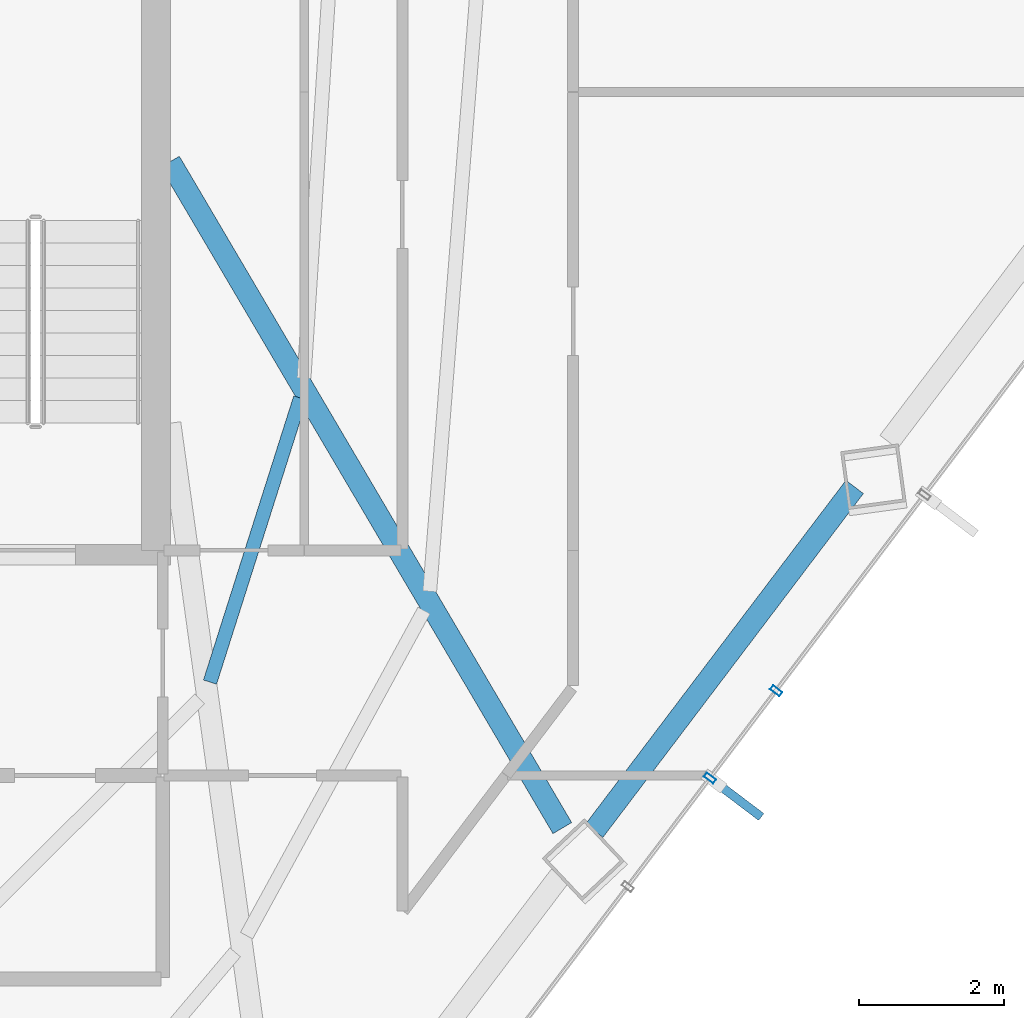
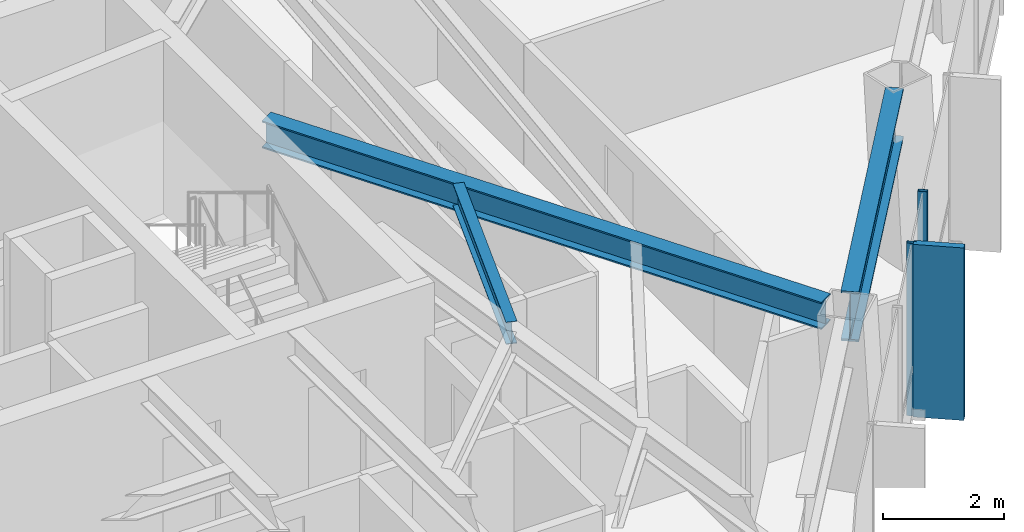
# One storey, part 19 of 28: 3 beams, 3 members, 1 element without a shape of its own.
"""IFC4 building model written with IfcOpenShell, lengths in metres."""

from ifc_helpers import new_model, si_unit, direction, frame, origin, origin_2d, place, context, subcontext, project, spatial, rectangle, hollow_rectangle, i_section, extrude, material, layer, layer_set, material_profile, profile_set, type_object, element, aggregate, save


model = new_model("IFC4")

# Units and contexts
model_context = context("Model", 3, precision=1e-05, world=origin(), true_north=direction((0.0, 1.0)))
body_context = subcontext(model_context, "Body", "Model", "MODEL_VIEW")
ifc_project = project(units=[si_unit("LENGTHUNIT", "METRE"), si_unit("AREAUNIT", "SQUARE_METRE"), si_unit("VOLUMEUNIT", "CUBIC_METRE"), si_unit("PLANEANGLEUNIT", "RADIAN"), si_unit("MASSUNIT", "GRAM", prefix="KILO")], contexts=[model_context])

# Site, building, storey
site_placement = place(None, origin())
site = spatial("IfcSite", under=ifc_project, at=site_placement, CompositionType="ELEMENT")
building_placement = place(site_placement, origin())
building = spatial("IfcBuilding", under=site, at=building_placement, Name="Zarrinselat Tower", CompositionType="ELEMENT")
storey_placement = place(building_placement, frame((0.0, 0.0, 153.340087890625)))
storey = spatial("IfcBuildingStorey", under=building, at=storey_placement, Name="L37", CompositionType="ELEMENT", Elevation=153.340087890625)

# Beams
ifc_material_1 = material(Name="Steel S355J2", Category="steel")
ifc_material_profile_1 = material_profile(ifc_material_1, i_section(OverallWidth=0.300048828125, OverallDepth=0.550048828125, WebThickness=0.014892578125, FlangeThickness=0.029052734375, at=origin_2d()), Name="HEB 550")
ifc_profile_set_1 = profile_set([ifc_material_profile_1], Name="Steel S355J2")
beam_type_1 = type_object("IfcBeamType", Name="BM-HEB550", PredefinedType="BEAM", material=ifc_profile_set_1)
beam_1_placement = place(storey_placement, frame((48.449951171875, 38.60009765625, 3.21484375), z_axis=(0.507416914509, -0.861700687519, 0.0), x_axis=(0.861700687519, 0.507416914509, 0.0)))
element("IfcBeam", 1, at=beam_1_placement, inside=storey, type_object=beam_type_1, Name="L37 Radial Primary Girder RG13", PredefinedType="BEAM", context=body_context, shape_type="SweptSolid", body=[
    extrude(i_section(OverallWidth=0.300048828125, OverallDepth=0.550048828125, WebThickness=0.014892578125, FlangeThickness=0.029052734375, at=origin_2d()), origin(), (0.0, 0.0, 1.0), 10.646728515625),
])
ifc_material_2 = material(Name="Steel S460M", Category="steel")
ifc_material_profile_2 = material_profile(ifc_material_2, i_section(OverallWidth=0.302001953125, OverallDepth=1.008056640625, WebThickness=0.02099609375, FlangeThickness=0.0400390625, at=origin_2d()), Name="HEM 1000")
ifc_profile_set_2 = profile_set([ifc_material_profile_2], Name="Steel S460M")
beam_type_2 = type_object("IfcBeamType", Name="BM-HEM1000", PredefinedType="BEAM", material=ifc_profile_set_2)
beam_2_placement = place(storey_placement, frame((54.290771484375, 29.388916015625, 2.98583984375), z_axis=(0.603860062149, 0.797090349547, 0.0), x_axis=(-0.797090349547, 0.603860062149, 0.0)))
element("IfcBeam", 2, at=beam_2_placement, inside=storey, type_object=beam_type_2, Name="L37 Perimeter Spandrel Girder SP13", PredefinedType="BEAM", context=body_context, shape_type="SweptSolid", body=[
    extrude(i_section(OverallWidth=0.302001953125, OverallDepth=1.008056640625, WebThickness=0.02099609375, FlangeThickness=0.0400390625, at=origin_2d()), origin(), (0.0, 0.0, 1.0), 5.939453125),
])
ifc_material_3 = material(Name="Steel S355J2", Category="steel")
ifc_material_profile_3 = material_profile(ifc_material_3, i_section(OverallWidth=0.18994140625, OverallDepth=0.449951171875, WebThickness=0.009521484375, FlangeThickness=0.0146484375, at=origin_2d()), Name="IPE 450")
ifc_profile_set_3 = profile_set([ifc_material_profile_3], Name="Steel S355J2")
beam_type_3 = type_object("IfcBeamType", Name="BM-IPE450", PredefinedType="JOIST", material=ifc_profile_set_3)
beam_3_placement = place(storey_placement, frame((49.001220703125, 31.435791015625, 3.264892578125), z_axis=(0.302884466326, 0.953027281907, 0.0), x_axis=(-0.953027281907, 0.302884466326, 0.0)))
element("IfcBeam", 3, at=beam_3_placement, inside=storey, type_object=beam_type_3, Name="L37 Composite Floor Joist 3-2", PredefinedType="JOIST", context=body_context, shape_type="SweptSolid", body=[
    extrude(i_section(OverallWidth=0.18994140625, OverallDepth=0.449951171875, WebThickness=0.009521484375, FlangeThickness=0.0146484375, at=origin_2d()), origin(), (0.0, 0.0, 1.0), 4.1044921875),
])

# Curtain wall, members
ifc_material_4 = material(Name="Extruded Aluminium Alloy EN AW-6063 T6", Category="aluminium")
ifc_layer = layer(ifc_material_4, 0.175048828125)
ifc_layer_set = layer_set([ifc_layer], Name="Extruded Aluminium Alloy EN AW-6063 T6")
curtain_wall_type = type_object("IfcCurtainWallType", Name="CWS-HTL", PredefinedType="NOTDEFINED", material=ifc_layer_set)
curtain_wall_placement = place(storey_placement, origin())
curtain_wall = element("IfcCurtainWall", 4, at=curtain_wall_placement, inside=storey, type_object=curtain_wall_type, Name="L37 Unitised Curtain Wall CW-L37-E05", PredefinedType="NOTDEFINED")
ifc_material_5 = material(Name="Extruded Aluminium Alloy EN AW-6063 T6", Category="aluminium")
ifc_material_profile_4 = material_profile(ifc_material_5, hollow_rectangle(XDim=0.070068359375, YDim=0.159912109375, WallThickness=0.00390625, at=origin_2d()), Name="RHS 160x70x4")
ifc_profile_set_4 = profile_set([ifc_material_profile_4], Name="Extruded Aluminium Alloy EN AW-6063 T6")
member_type_1 = type_object("IfcMemberType", Name="MEM-CW-MUL2", PredefinedType="MULLION", material=ifc_profile_set_4)
member_1_placement = place(storey_placement, frame((55.88525390625, 30.11376953125, 0.0), z_axis=(0.0, 0.0, 1.0), x_axis=(0.603857687995, 0.797092148154, 0.0)))
member_1 = element("IfcMember", 5, at=member_1_placement, type_object=member_type_1, Name="CW-L37-E05 Mullion 5", PredefinedType="MULLION", context=body_context, shape_type="SweptSolid", body=[
    extrude(hollow_rectangle(XDim=0.070068359375, YDim=0.159912109375, WallThickness=0.00390625, at=origin_2d()), origin(), (0.0, 0.0, 1.0), 3.489990234375),
])
member_2_placement = place(storey_placement, frame((56.796142578125, 31.316162109375, 0.0), z_axis=(0.0, 0.0, 1.0), x_axis=(0.603857687995, 0.797092148154, 0.0)))
member_2 = element("IfcMember", 6, at=member_2_placement, type_object=member_type_1, Name="CW-L37-E05 Mullion 6", PredefinedType="MULLION", context=body_context, shape_type="SweptSolid", body=[
    extrude(hollow_rectangle(XDim=0.070068359375, YDim=0.159912109375, WallThickness=0.00390625, at=origin_2d()), origin(), (0.0, 0.0, 1.0), 3.489990234375),
])
ifc_material_6 = material(Name="Honed Cream Travertine Stone", Category="masonry")
ifc_material_profile_5 = material_profile(ifc_material_6, rectangle(XDim=0.1201171875, YDim=0.85009765625, at=origin_2d()), Name="FIN 850x120")
ifc_profile_set_5 = profile_set([ifc_material_profile_5], Name="Honed Cream Travertine Stone")
member_type_2 = type_object("IfcMemberType", Name="MEM-STONE-FIN", PredefinedType="USERDEFINED", material=ifc_profile_set_5)
member_3_placement = place(storey_placement, frame((56.251953125, 29.8359375, 0.0), z_axis=(0.0, 0.0, 1.0), x_axis=(-0.603857687995, -0.797092148154, 0.0)))
member_3 = element("IfcMember", 7, at=member_3_placement, type_object=member_type_2, Name="L37 Stone Shading Fin CW-L37-E05-05", ObjectType="FIN", PredefinedType="USERDEFINED", context=body_context, shape_type="SweptSolid", body=[
    extrude(rectangle(XDim=0.1201171875, YDim=0.85009765625, at=origin_2d()), origin(), (0.0, 0.0, 1.0), 3.489990234375),
])
aggregate(curtain_wall, [member_1, member_3, member_2])

save(model, "model.ifc")
